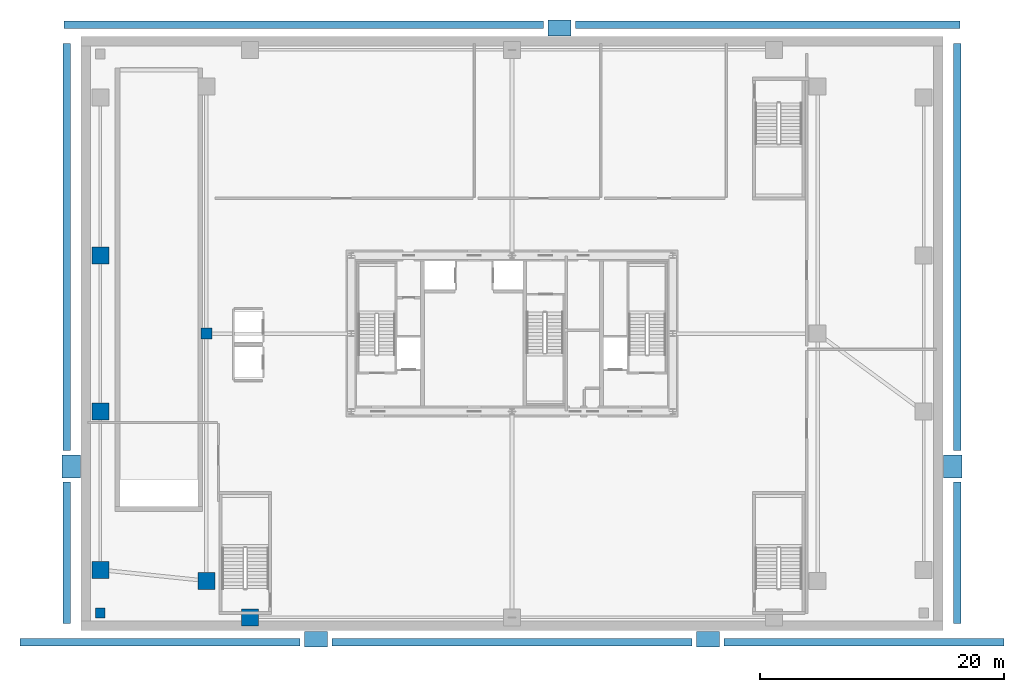
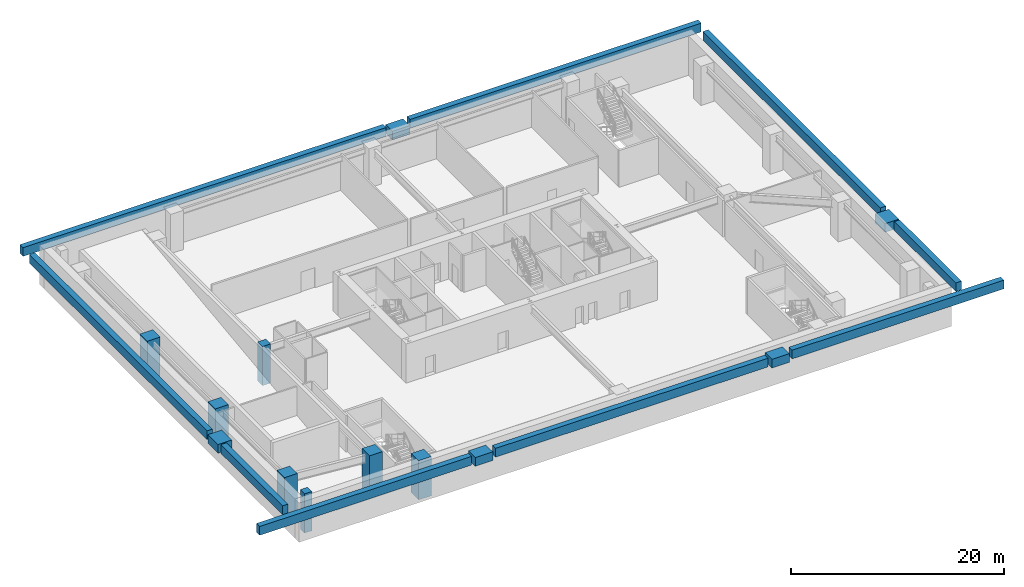
# One storey, part 1 of 9: 14 footings, 7 columns.
"""IFC4 building model written with IfcOpenShell, lengths in metres."""

from ifc_helpers import new_model, si_unit, direction, frame, origin, origin_2d, place, context, subcontext, project, spatial, polyline, rectangle, outline, extrude, source, transform, mapped, material, material_profile, profile_set, type_object, element, save


model = new_model("IFC4")

# Units and contexts
model_context = context("Model", 3, precision=1e-05, world=origin(), true_north=direction((0.0, 1.0)))
body_context = subcontext(model_context, "Body", "Model", "MODEL_VIEW")
ifc_project = project(units=[si_unit("LENGTHUNIT", "METRE"), si_unit("AREAUNIT", "SQUARE_METRE"), si_unit("VOLUMEUNIT", "CUBIC_METRE"), si_unit("PLANEANGLEUNIT", "RADIAN"), si_unit("MASSUNIT", "GRAM", prefix="KILO"), si_unit("THERMODYNAMICTEMPERATUREUNIT", "KELVIN"), si_unit("POWERUNIT", "WATT")], contexts=[model_context])

# Site, building, storey
site_placement = place(None, origin())
site = spatial("IfcSite", under=ifc_project, at=site_placement, CompositionType="ELEMENT")
building_placement = place(site_placement, origin())
building = spatial("IfcBuilding", under=site, at=building_placement, Name="Yuzanri Waterfront Tower", CompositionType="ELEMENT")
storey_placement = place(building_placement, frame((0.0, 0.0, -4.5)))
storey = spatial("IfcBuildingStorey", under=building, at=storey_placement, Name="B01", CompositionType="ELEMENT", Elevation=-4.5)

# Footings
ifc_material_1 = material(Name="Concrete C50", Category="concrete")
footing_type = type_object("IfcFootingType", Name="Concrete C50 Waterfront Promenade Strip Footing 600x1000", PredefinedType="STRIP_FOOTING", material=ifc_material_1)
footing_1_placement = place(storey_placement, frame((0.0, 0.0, 3.320068359375)))
element("IfcFooting", 1, at=footing_1_placement, inside=storey, type_object=footing_type, Name="Waterfront Promenade Strip Footing S1", PredefinedType="STRIP_FOOTING", context=body_context, shape_type="SweptSolid", body=[
    extrude(outline(polyline([(-3.39990234375, 0.14990234375), (19.60009765625, 0.14990234375), (19.60009765625, 0.75), (-3.39990234375, 0.75), (-3.39990234375, 0.14990234375)])), origin(), (0.0, 0.0, 1.0), 1.0),
])
footing_2_placement = place(storey_placement, frame((0.0, 0.0, 3.320068359375)))
element("IfcFooting", 2, at=footing_2_placement, inside=storey, type_object=footing_type, Name="Waterfront Promenade Strip Footing S2", PredefinedType="STRIP_FOOTING", context=body_context, shape_type="SweptSolid", body=[
    extrude(outline(polyline([(22.199951171875, 0.14990234375), (51.800048828125, 0.14990234375), (51.800048828125, 0.75), (22.199951171875, 0.75), (22.199951171875, 0.14990234375)])), origin(), (0.0, 0.0, 1.0), 1.0),
])
footing_3_placement = place(storey_placement, frame((0.0, 0.0, 3.320068359375)))
element("IfcFooting", 3, at=footing_3_placement, inside=storey, type_object=footing_type, Name="Waterfront Promenade Strip Footing S3", PredefinedType="STRIP_FOOTING", context=body_context, shape_type="SweptSolid", body=[
    extrude(outline(polyline([(54.39990234375, 0.14990234375), (77.39990234375, 0.14990234375), (77.39990234375, 0.75), (54.39990234375, 0.75), (54.39990234375, 0.14990234375)])), origin(), (0.0, 0.0, 1.0), 1.0),
])
footing_4_placement = place(storey_placement, frame((0.0, 0.0, 3.320068359375)))
element("IfcFooting", 4, at=footing_4_placement, inside=storey, type_object=footing_type, Name="Waterfront Promenade Strip Footing W1", PredefinedType="STRIP_FOOTING", context=body_context, shape_type="SweptSolid", body=[
    extrude(outline(polyline([(0.14990234375, 2.0), (0.75, 2.0), (0.75, 13.60009765625), (0.14990234375, 13.60009765625), (0.14990234375, 2.0)])), origin(), (0.0, 0.0, 1.0), 1.0),
])
footing_5_placement = place(storey_placement, frame((0.0, 0.0, 3.320068359375)))
element("IfcFooting", 5, at=footing_5_placement, inside=storey, type_object=footing_type, Name="Waterfront Promenade Strip Footing W2", PredefinedType="STRIP_FOOTING", context=body_context, shape_type="SweptSolid", body=[
    extrude(outline(polyline([(0.14990234375, 16.199951171875), (0.75, 16.199951171875), (0.75, 49.60009765625), (0.14990234375, 49.60009765625), (0.14990234375, 16.199951171875)])), origin(), (0.0, 0.0, 1.0), 1.0),
])
footing_6_placement = place(storey_placement, frame((0.0, 0.0, 3.320068359375)))
element("IfcFooting", 6, at=footing_6_placement, inside=storey, type_object=footing_type, Name="Waterfront Promenade Strip Footing E1", PredefinedType="STRIP_FOOTING", context=body_context, shape_type="SweptSolid", body=[
    extrude(outline(polyline([(73.25, 2.0), (73.85009765625, 2.0), (73.85009765625, 13.60009765625), (73.25, 13.60009765625), (73.25, 2.0)])), origin(), (0.0, 0.0, 1.0), 1.0),
])
footing_7_placement = place(storey_placement, frame((0.0, 0.0, 3.320068359375)))
element("IfcFooting", 7, at=footing_7_placement, inside=storey, type_object=footing_type, Name="Waterfront Promenade Strip Footing E2", PredefinedType="STRIP_FOOTING", context=body_context, shape_type="SweptSolid", body=[
    extrude(outline(polyline([(73.25, 16.199951171875), (73.85009765625, 16.199951171875), (73.85009765625, 49.60009765625), (73.25, 49.60009765625), (73.25, 16.199951171875)])), origin(), (0.0, 0.0, 1.0), 1.0),
])
footing_8_placement = place(storey_placement, frame((0.0, 0.0, 3.320068359375)))
element("IfcFooting", 8, at=footing_8_placement, inside=storey, type_object=footing_type, Name="Waterfront Promenade Strip Footing N1A", PredefinedType="STRIP_FOOTING", context=body_context, shape_type="SweptSolid", body=[
    extrude(outline(polyline([(0.199951171875, 50.85009765625), (39.60009765625, 50.85009765625), (39.60009765625, 51.449951171875), (0.199951171875, 51.449951171875), (0.199951171875, 50.85009765625)])), origin(), (0.0, 0.0, 1.0), 1.0),
])
footing_9_placement = place(storey_placement, frame((0.0, 0.0, 3.320068359375)))
element("IfcFooting", 9, at=footing_9_placement, inside=storey, type_object=footing_type, Name="Waterfront Promenade Strip Footing N1B", PredefinedType="STRIP_FOOTING", context=body_context, shape_type="SweptSolid", body=[
    extrude(outline(polyline([(42.199951171875, 50.85009765625), (73.800048828125, 50.85009765625), (73.800048828125, 51.449951171875), (42.199951171875, 51.449951171875), (42.199951171875, 50.85009765625)])), origin(), (0.0, 0.0, 1.0), 1.0),
])
footing_10_placement = place(storey_placement, frame((0.0, 0.0, 3.1201171875)))
element("IfcFooting", 10, at=footing_10_placement, inside=storey, type_object=footing_type, Name="Accessible Ramp Bearing Strip Footing 01", PredefinedType="STRIP_FOOTING", context=body_context, shape_type="SweptSolid", body=[
    extrude(outline(polyline([(19.949951171875, 0.050048828125), (21.85009765625, 0.050048828125), (21.85009765625, 1.35009765625), (19.949951171875, 1.35009765625), (19.949951171875, 0.050048828125)])), origin(), (0.0, 0.0, 1.0), 1.0),
])
footing_11_placement = place(storey_placement, frame((0.0, 0.0, 3.1201171875)))
element("IfcFooting", 11, at=footing_11_placement, inside=storey, type_object=footing_type, Name="Accessible Ramp Bearing Strip Footing 02", PredefinedType="STRIP_FOOTING", context=body_context, shape_type="SweptSolid", body=[
    extrude(outline(polyline([(52.14990234375, 0.050048828125), (54.050048828125, 0.050048828125), (54.050048828125, 1.35009765625), (52.14990234375, 1.35009765625), (52.14990234375, 0.050048828125)])), origin(), (0.0, 0.0, 1.0), 1.0),
])
footing_12_placement = place(storey_placement, frame((0.0, 0.0, 3.14990234375)))
element("IfcFooting", 12, at=footing_12_placement, inside=storey, type_object=footing_type, Name="Accessible Ramp Bearing Strip Footing 03", PredefinedType="STRIP_FOOTING", context=body_context, shape_type="SweptSolid", body=[
    extrude(outline(polyline([(0.050048828125, 13.949951171875), (1.550048828125, 13.949951171875), (1.550048828125, 15.85009765625), (0.050048828125, 15.85009765625), (0.050048828125, 13.949951171875)])), origin(), (0.0, 0.0, 1.0), 1.0),
])
footing_13_placement = place(storey_placement, frame((0.0, 0.0, 3.14990234375)))
element("IfcFooting", 13, at=footing_13_placement, inside=storey, type_object=footing_type, Name="Accessible Ramp Bearing Strip Footing 04", PredefinedType="STRIP_FOOTING", context=body_context, shape_type="SweptSolid", body=[
    extrude(outline(polyline([(72.449951171875, 13.949951171875), (73.949951171875, 13.949951171875), (73.949951171875, 15.85009765625), (72.449951171875, 15.85009765625), (72.449951171875, 13.949951171875)])), origin(), (0.0, 0.0, 1.0), 1.0),
])
footing_14_placement = place(storey_placement, frame((0.0, 0.0, 3.1201171875)))
element("IfcFooting", 14, at=footing_14_placement, inside=storey, type_object=footing_type, Name="Accessible Ramp Bearing Strip Footing 05", PredefinedType="STRIP_FOOTING", context=body_context, shape_type="SweptSolid", body=[
    extrude(outline(polyline([(39.949951171875, 50.25), (41.85009765625, 50.25), (41.85009765625, 51.550048828125), (39.949951171875, 51.550048828125), (39.949951171875, 50.25)])), origin(), (0.0, 0.0, 1.0), 1.0),
])

# Columns
ifc_material_2 = material(Name="Concrete C50", Category="concrete")
ifc_material_profile_1 = material_profile(ifc_material_2, rectangle(XDim=0.800048828125, YDim=0.800048828125, at=origin_2d()), Name="RC 800x800")
ifc_profile_set_1 = profile_set([ifc_material_profile_1], Name="Concrete C50")
column_type_1 = type_object("IfcColumnType", Name="Upper Podium RC Column C50 800x800", PredefinedType="COLUMN", material=ifc_profile_set_1)
shared_shape_1 = source(origin(), body_context, "Body", "SweptSolid", [
    extrude(rectangle(XDim=0.800048828125, YDim=0.800048828125, at=origin_2d()), origin(), (0.0, 0.0, 1.0), 4.5),
])
column_1_placement = place(storey_placement, frame((3.199951171875, 2.85009765625, 0.0), z_axis=(0.0, 0.0, 1.0), x_axis=(1.0, 0.0, 0.0)))
element("IfcColumn", 15, at=column_1_placement, inside=storey, type_object=column_type_1, Name="B01 Podium Corner Column CNPSW", PredefinedType="COLUMN", context=body_context, shape_type="MappedRepresentation", body=[
    mapped(shared_shape_1, transform((0.0, 0.0, 0.0), scale=1.0)),
])
ifc_material_3 = material(Name="Concrete C60", Category="concrete")
ifc_material_profile_2 = material_profile(ifc_material_3, rectangle(XDim=1.39990234375, YDim=1.39990234375, at=origin_2d()), Name="RC 1400x1400")
ifc_profile_set_2 = profile_set([ifc_material_profile_2], Name="Concrete C60")
column_type_2 = type_object("IfcColumnType", Name="Podium RC Column C60 1400x1400", PredefinedType="COLUMN", material=ifc_profile_set_2)
shared_shape_2 = source(origin(), body_context, "Body", "SweptSolid", [
    extrude(rectangle(XDim=1.39990234375, YDim=1.39990234375, at=origin_2d()), origin(), (0.0, 0.0, 1.0), 4.5),
])
for number, where, z_axis, x_axis, name in (
    (16, (3.199951171875, 6.39990234375, 0.0), (0.0, 0.0, 1.0), (1.0, 0.0, 0.0), "B01 Podium Column PW1"),
    (17, (3.199951171875, 19.39990234375, 0.0), (0.0, 0.0, 1.0), (1.0, 0.0, 0.0), "B01 Podium Column PW2"),
    (18, (3.199951171875, 32.199951171875, 0.0), (0.0, 0.0, 1.0), (1.0, 0.0, 0.0), "B01 Podium Column PW3"),
    (19, (11.89990234375, 5.5, 0.0), (0.0, 0.0, 1.0), (1.0, 0.0, 0.0), "B01 Podium Column PTW1"),
    (20, (15.5, 2.5, 0.0), (0.0, 0.0, 1.0), (1.0, 0.0, 0.0), "B01 Podium Column PTS1"),
):
    element("IfcColumn", number, at=place(storey_placement, frame(where, z_axis=z_axis, x_axis=x_axis)), inside=storey, type_object=column_type_2, Name=name, PredefinedType="COLUMN", context=body_context, shape_type="MappedRepresentation", body=[
        mapped(shared_shape_2, transform((0.0, 0.0, 0.0), scale=1.0)),
    ])
ifc_material_4 = material(Name="Concrete C50", Category="concrete")
ifc_material_profile_3 = material_profile(ifc_material_4, rectangle(XDim=0.89990234375, YDim=0.89990234375, at=origin_2d()), Name="RC 900x900")
ifc_profile_set_3 = profile_set([ifc_material_profile_3], Name="Concrete C50")
column_type_3 = type_object("IfcColumnType", Name="Basement RC Column C50 900x900", PredefinedType="COLUMN", material=ifc_profile_set_3)
shared_shape_3 = source(origin(), body_context, "Body", "SweptSolid", [
    extrude(rectangle(XDim=0.89990234375, YDim=0.89990234375, at=origin_2d()), origin(), (0.0, 0.0, 1.0), 4.5),
])
column_2_placement = place(storey_placement, frame((11.89990234375, 25.800048828125, 0.0), z_axis=(0.0, 0.0, 1.0), x_axis=(1.0, 0.0, 0.0)))
element("IfcColumn", 21, at=column_2_placement, inside=storey, type_object=column_type_3, Name="B01 Podium Ballroom-Under Column PTW2", PredefinedType="COLUMN", context=body_context, shape_type="MappedRepresentation", body=[
    mapped(shared_shape_3, transform((0.0, 0.0, 0.0), scale=1.0)),
])

save(model, "model.ifc")
